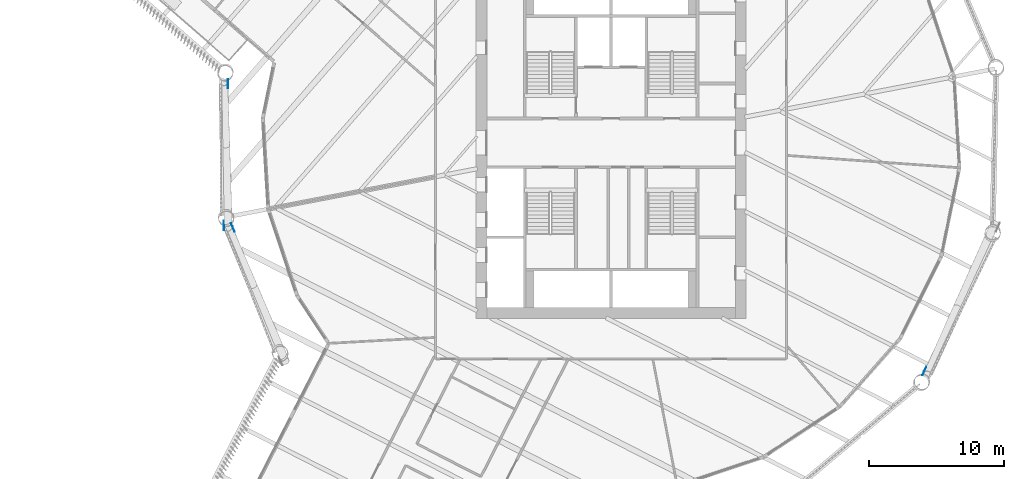
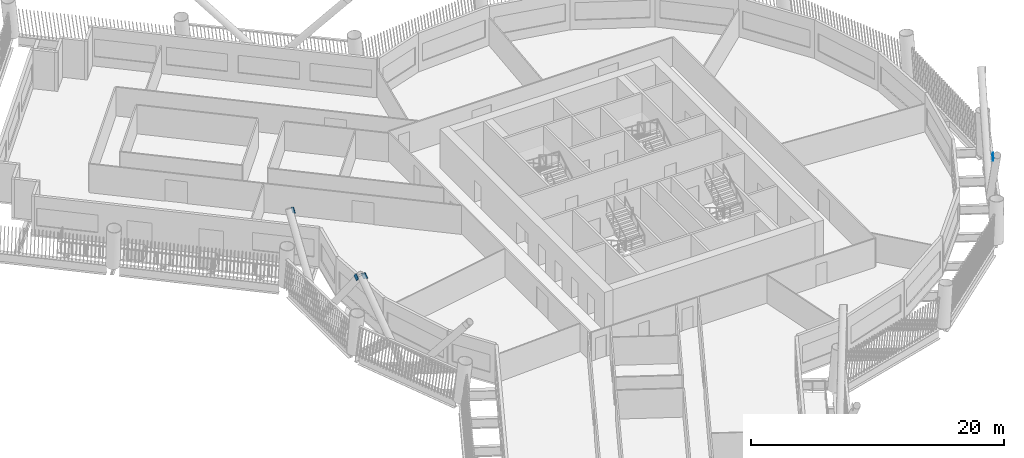
# One storey, part 12 of 21: 4 discrete accessories.
"""IFC4 building model written with IfcOpenShell, lengths in metres."""

from ifc_helpers import new_model, si_unit, direction, frame, origin, origin_2d, place, context, subcontext, project, spatial, rectangle, extrude, material, material_profile, profile_set, type_object, element, save


model = new_model("IFC4")

# Units and contexts
model_context = context("Model", 3, precision=1e-05, world=origin(), true_north=direction((0.0, 1.0)))
body_context = subcontext(model_context, "Body", "Model", "MODEL_VIEW")
ifc_project = project(units=[si_unit("LENGTHUNIT", "METRE"), si_unit("AREAUNIT", "SQUARE_METRE"), si_unit("VOLUMEUNIT", "CUBIC_METRE"), si_unit("PLANEANGLEUNIT", "RADIAN"), si_unit("MASSUNIT", "GRAM", prefix="KILO")], contexts=[model_context])

# Site, building, storey
site_placement = place(None, origin())
site = spatial("IfcSite", under=ifc_project, at=site_placement, CompositionType="ELEMENT")
building_placement = place(site_placement, origin())
building = spatial("IfcBuilding", under=site, at=building_placement, Name="Tarsis Ring Headquarters", CompositionType="ELEMENT")
storey_placement = place(building_placement, frame((0.0, 0.0, 100.60009765625)))
storey = spatial("IfcBuildingStorey", under=building, at=storey_placement, Name="L22", CompositionType="ELEMENT", Elevation=100.60009765625)

# Discrete accessories
ifc_material = material(Name="Structural steel S355", Category="steel")
ifc_material_profile = material_profile(ifc_material, rectangle(XDim=0.02490234375, YDim=0.5, at=origin_2d()), Name="PL 25x500")
ifc_profile_set = profile_set([ifc_material_profile], Name="Structural steel S355")
discrete_accessory_type = type_object("IfcDiscreteAccessoryType", Name="Gusset plate Exo brace 25", PredefinedType="BRACKET", material=ifc_profile_set)
discrete_accessory_1_placement = place(storey_placement, frame((-28.07080078125, -6.15185546875, 7.7998046875), z_axis=(0.201184874263, -0.467315351141, -0.860895469239), x_axis=(0.918498434935, 0.395424613577, 0.0)))
element("IfcDiscreteAccessory", 1, at=discrete_accessory_1_placement, inside=storey, type_object=discrete_accessory_type, Name="Gusset plate GP5", PredefinedType="BRACKET", context=body_context, shape_type="SweptSolid", body=[
    extrude(rectangle(XDim=0.02490234375, YDim=0.5, at=origin_2d()), origin(), (0.0, 0.0, 1.0), 0.5),
])
discrete_accessory_2_placement = place(storey_placement, frame((23.1494140625, -17.029541015625, 7.7998046875), z_axis=(0.229562775306, 0.517248891594, -0.824472265354), x_axis=(-0.914024973297, 0.40565792016, 0.0)))
element("IfcDiscreteAccessory", 2, at=discrete_accessory_2_placement, inside=storey, type_object=discrete_accessory_type, Name="Gusset plate GP5", PredefinedType="BRACKET", context=body_context, shape_type="SweptSolid", body=[
    extrude(rectangle(XDim=0.02490234375, YDim=0.5, at=origin_2d()), origin(), (0.0, 0.0, 1.0), 0.499755859375),
])
discrete_accessory_3_placement = place(storey_placement, frame((-28.67919921875, -6.286865234375, 7.7998046875), z_axis=(-0.018549184552, 0.619933273188, -0.784435251979), x_axis=(-0.999552659454, -0.02990787485, 0.0)))
element("IfcDiscreteAccessory", 3, at=discrete_accessory_3_placement, inside=storey, type_object=discrete_accessory_type, Name="Gusset plate GP5", PredefinedType="BRACKET", context=body_context, shape_type="SweptSolid", body=[
    extrude(rectangle(XDim=0.02490234375, YDim=0.5, at=origin_2d()), origin(), (0.0, 0.0, 1.0), 0.500244140625),
])
discrete_accessory_4_placement = place(storey_placement, frame((-28.38232421875, 4.499755859375, 7.7998046875), z_axis=(0.017092348103, -0.508375267861, -0.860965991584), x_axis=(0.999435275502, 0.033602530877, 0.0)))
element("IfcDiscreteAccessory", 4, at=discrete_accessory_4_placement, inside=storey, type_object=discrete_accessory_type, Name="Gusset plate GP5", PredefinedType="BRACKET", context=body_context, shape_type="SweptSolid", body=[
    extrude(rectangle(XDim=0.02490234375, YDim=0.5, at=origin_2d()), origin(), (0.0, 0.0, 1.0), 0.5),
])

save(model, "model.ifc")
